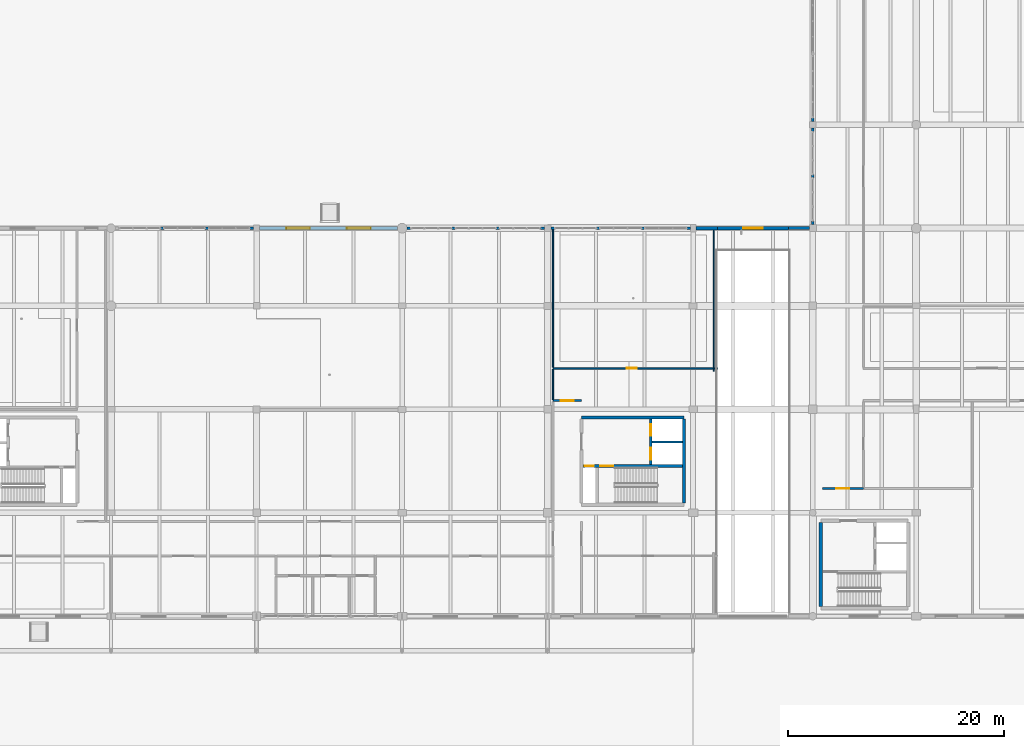
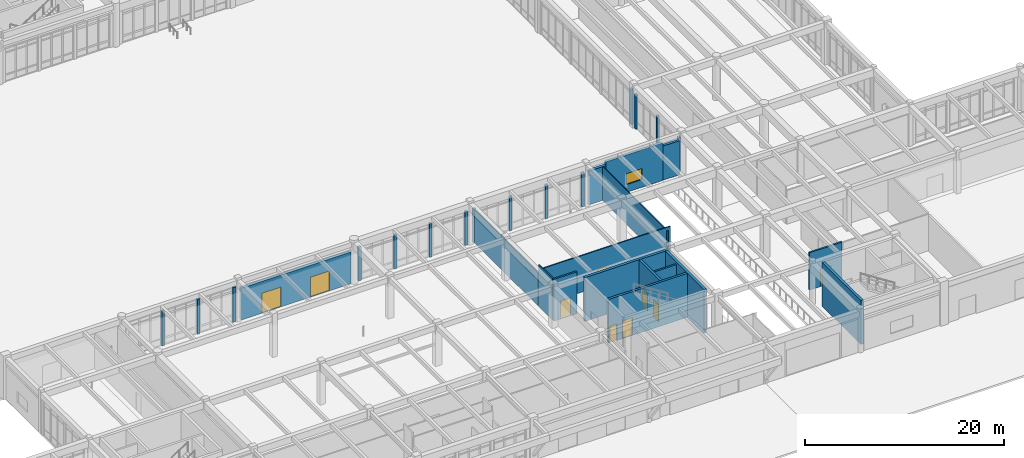
# One storey, part 111 of 138: 31 walls, 9 doors, 1 window, 10 openings.
"""IFC4 building model written with IfcOpenShell, lengths in metres."""

from ifc_helpers import new_model, si_unit, direction, frame, frame_2d, origin, place, context, subcontext, project, spatial, rectangle, extrude, material, layer, layer_set, type_object, element, fill, save


model = new_model("IFC4")

# Units and contexts
model_context = context("Model", 3, precision=1e-05, world=origin(), true_north=direction((0.0, 1.0)))
body_context = subcontext(model_context, "Body", "Model", "MODEL_VIEW")
ifc_project = project(units=[si_unit("LENGTHUNIT", "METRE"), si_unit("AREAUNIT", "SQUARE_METRE"), si_unit("VOLUMEUNIT", "CUBIC_METRE"), si_unit("PLANEANGLEUNIT", "RADIAN"), si_unit("MASSUNIT", "GRAM", prefix="KILO")], contexts=[model_context])

# Site, building, storey
site_placement = place(None, origin())
site = spatial("IfcSite", under=ifc_project, at=site_placement, CompositionType="ELEMENT")
building_placement = place(site_placement, origin())
building = spatial("IfcBuilding", under=site, at=building_placement, Name="Fikremerkos Civic Library", CompositionType="ELEMENT")
storey_placement = place(building_placement, origin())
storey = spatial("IfcBuildingStorey", under=building, at=storey_placement, Name="L00", CompositionType="ELEMENT", Elevation=0.0)

# Walls
ifc_material_1 = material(Name="Concrete C40/50", Category="concrete")
ifc_layer_1 = layer(ifc_material_1, 0.300048828125, Name="Concrete C40/50")
ifc_layer_set_1 = layer_set([ifc_layer_1], Name="Concrete C40/50")
wall_type_1 = type_object("IfcWallType", Name="Core shear wall CSW-01 300", PredefinedType="SHEAR", material=ifc_layer_set_1)
wall_1_placement = place(storey_placement, frame((103.35009765625, 30.449951171875, 0.0), z_axis=(0.0, 0.0, 1.0), x_axis=(1.0, 0.0, 0.0)))
element("IfcWall", 1, at=wall_1_placement, inside=storey, type_object=wall_type_1, Name="Core K2 north shear wall L00", PredefinedType="SHEAR", context=body_context, shape_type="SweptSolid", body=[
    extrude(rectangle(XDim=9.5, YDim=0.300048828125, at=frame_2d((4.75, 0.0))), origin(), (0.0, 0.0, 1.0), 5.39990234375),
])
wall_2_placement = place(storey_placement, frame((112.85009765625, 30.298095703125, 0.0), z_axis=(0.0, 0.0, 1.0), x_axis=(0.0, -1.0, 0.0)))
element("IfcWall", 2, at=wall_2_placement, inside=storey, type_object=wall_type_1, Name="Core K2 east shear wall L00", PredefinedType="SHEAR", context=body_context, shape_type="SweptSolid", body=[
    extrude(rectangle(XDim=7.796142578125, YDim=0.300048828125, at=frame_2d((3.89794921875, 0.0))), origin(), (0.0, 0.0, 1.0), 5.39990234375),
])
wall_3_placement = place(storey_placement, frame((125.550048828125, 12.902099609375, 0.0), z_axis=(0.0, 0.0, 1.0), x_axis=(0.0, 1.0, 0.0)))
element("IfcWall", 3, at=wall_3_placement, inside=storey, type_object=wall_type_1, Name="Core K4 west shear wall L00", PredefinedType="SHEAR", context=body_context, shape_type="SweptSolid", body=[
    extrude(rectangle(XDim=7.7958984375, YDim=0.300048828125, at=frame_2d((3.89794921875, 0.0))), origin(), (0.0, 0.0, 1.0), 5.39990234375),
])

# Wall, openings, doors
ifc_layer_2 = layer(ifc_material_1, 0.260009765625, Name="Concrete C40/50")
ifc_layer_set_2 = layer_set([ifc_layer_2], Name="Concrete C40/50")
wall_type_2 = type_object("IfcWallType", Name="Core shear wall CSW-02 260", PredefinedType="SHEAR", material=ifc_layer_set_2)
wall_4_placement = place(storey_placement, frame((103.501953125, 25.929931640625, 0.0), z_axis=(0.0, 0.0, 1.0), x_axis=(1.0, 0.0, 0.0)))
wall_4 = element("IfcWall", 4, at=wall_4_placement, inside=storey, type_object=wall_type_2, Name="Core K2 stair compartment wall L00", PredefinedType="SHEAR", context=body_context, shape_type="SweptSolid", body=[
    extrude(rectangle(XDim=9.196044921875, YDim=0.260009765625, at=frame_2d((4.59814453125, 0.0))), origin(), (0.0, 0.0, 1.0), 5.39990234375),
])
opening_1_placement = place(wall_4_placement, frame((1.597900390625, 0.0, 0.0)))
opening_1 = element("IfcOpeningElement", 5, at=opening_1_placement, cuts=wall_4, Name="Opening D060", PredefinedType="OPENING", context=body_context, shape_type="SweptSolid", body=[
    extrude(rectangle(XDim=1.199951171875, YDim=2.199951171875, at=frame_2d((0.60009765625, 1.10009765625))), frame((0.0, 0.139892578125, 0.0), z_axis=(0.0, -1.0, 0.0), x_axis=(1.0, 0.0, 0.0)), (0.0, 0.0, 1.0), 0.280029296875),
])
opening_2_placement = place(wall_4_placement, frame((0.14306640625, 0.0, 0.0)))
opening_2 = element("IfcOpeningElement", 6, at=opening_2_placement, cuts=wall_4, Name="Opening D061", PredefinedType="OPENING", context=body_context, shape_type="SweptSolid", body=[
    extrude(rectangle(XDim=0.85009765625, YDim=2.050048828125, at=frame_2d((0.425048828125, 1.02490234375))), frame((0.0, 0.139892578125, 0.0), z_axis=(0.0, -1.0, 0.0), x_axis=(1.0, 0.0, 0.0)), (0.0, 0.0, 1.0), 0.280029296875),
])
ifc_material_2 = material(Name="Hardwood timber and acoustic glass", Category="wood")
door_type_1 = type_object("IfcDoorType", Name="Pedestrian door DT-06 1200x2200", OperationType="NOTDEFINED", PredefinedType="DOOR", material=ifc_material_2)
door_1_placement = place(opening_1_placement, origin())
door_1 = element("IfcDoor", 7, at=door_1_placement, inside=storey, type_object=door_type_1, Name="Core K2 stair fire door D060 L00", OperationType="SINGLE_SWING_RIGHT", OverallHeight=2.199951171875, OverallWidth=1.199951171875, PredefinedType="DOOR", context=body_context, shape_type="SweptSolid", body=[
    extrude(rectangle(XDim=1.199951171875, YDim=2.199951171875, at=frame_2d((0.60009765625, 1.10009765625))), frame((0.0, 0.032470703125, 0.0), z_axis=(0.0, -1.0, 0.0), x_axis=(1.0, 0.0, 0.0)), (0.0, 0.0, 1.0), 0.06494140625),
])
fill(opening_1, door_1)
door_type_2 = type_object("IfcDoorType", Name="Pedestrian door DT-08 850x2050", OperationType="NOTDEFINED", PredefinedType="DOOR", material=ifc_material_2)
door_2_placement = place(opening_2_placement, origin())
door_2 = element("IfcDoor", 8, at=door_2_placement, inside=storey, type_object=door_type_2, Name="Core K2 riser access fire door D061 L00", OperationType="SINGLE_SWING_LEFT", OverallHeight=2.050048828125, OverallWidth=0.85009765625, PredefinedType="DOOR", context=body_context, shape_type="SweptSolid", body=[
    extrude(rectangle(XDim=0.85009765625, YDim=2.050048828125, at=frame_2d((0.425048828125, 1.02490234375))), frame((0.0, 0.032470703125, 0.0), z_axis=(0.0, -1.0, 0.0), x_axis=(1.0, 0.0, 0.0)), (0.0, 0.0, 1.0), 0.06494140625),
])
fill(opening_2, door_2)

wall_5_placement = place(storey_placement, frame((109.77001953125, 26.06201171875, 0.0), z_axis=(0.0, 0.0, 1.0), x_axis=(0.0, 1.0, 0.0)))
wall_5 = element("IfcWall", 9, at=wall_5_placement, inside=storey, type_object=wall_type_2, Name="Core K2 lift shaft front wall L00", PredefinedType="SHEAR", context=body_context, shape_type="SweptSolid", body=[
    extrude(rectangle(XDim=4.236083984375, YDim=0.260009765625, at=frame_2d((2.1181640625, 0.0))), origin(), (0.0, 0.0, 1.0), 5.39990234375),
])
opening_3_placement = place(wall_5_placement, frame((0.468017578125, 0.0, 0.0)))
opening_3 = element("IfcOpeningElement", 10, at=opening_3_placement, cuts=wall_5, Name="Opening LD21", PredefinedType="OPENING", context=body_context, shape_type="SweptSolid", body=[
    extrude(rectangle(XDim=1.10009765625, YDim=2.14990234375, at=frame_2d((0.550048828125, 1.074951171875))), frame((0.0, 0.139892578125, 0.0), z_axis=(0.0, -1.0, 0.0), x_axis=(1.0, 0.0, 0.0)), (0.0, 0.0, 1.0), 0.280029296875),
])
opening_4_placement = place(wall_5_placement, frame((2.66796875, 0.0, 0.0)))
opening_4 = element("IfcOpeningElement", 11, at=opening_4_placement, cuts=wall_5, Name="Opening LD22", PredefinedType="OPENING", context=body_context, shape_type="SweptSolid", body=[
    extrude(rectangle(XDim=1.10009765625, YDim=2.14990234375, at=frame_2d((0.550048828125, 1.074951171875))), frame((0.0, 0.139892578125, 0.0), z_axis=(0.0, -1.0, 0.0), x_axis=(1.0, 0.0, 0.0)), (0.0, 0.0, 1.0), 0.280029296875),
])
ifc_material_3 = material(Name="Brushed stainless steel", Category="steel")
door_type_3 = type_object("IfcDoorType", Name="Lift landing door LDT-01 1100x2150", OperationType="NOTDEFINED", PredefinedType="DOOR", material=ifc_material_3)
door_3_placement = place(opening_3_placement, origin())
door_3 = element("IfcDoor", 12, at=door_3_placement, inside=storey, type_object=door_type_3, Name="Lift LF03 sliding landing door LD21 L00", OperationType="SLIDING_TO_LEFT", OverallHeight=2.14990234375, OverallWidth=1.10009765625, PredefinedType="DOOR", context=body_context, shape_type="SweptSolid", body=[
    extrude(rectangle(XDim=1.10009765625, YDim=2.14990234375, at=frame_2d((0.550048828125, 1.074951171875))), frame((0.0, 0.032470703125, 0.0), z_axis=(0.0, -1.0, 0.0), x_axis=(1.0, 0.0, 0.0)), (0.0, 0.0, 1.0), 0.06494140625),
])
fill(opening_3, door_3)
door_4_placement = place(opening_4_placement, origin())
door_4 = element("IfcDoor", 13, at=door_4_placement, inside=storey, type_object=door_type_3, Name="Lift LF04 sliding landing door LD22 L00", OperationType="SLIDING_TO_LEFT", OverallHeight=2.14990234375, OverallWidth=1.10009765625, PredefinedType="DOOR", context=body_context, shape_type="SweptSolid", body=[
    extrude(rectangle(XDim=1.10009765625, YDim=2.14990234375, at=frame_2d((0.550048828125, 1.074951171875))), frame((0.0, 0.032470703125, 0.0), z_axis=(0.0, -1.0, 0.0), x_axis=(1.0, 0.0, 0.0)), (0.0, 0.0, 1.0), 0.06494140625),
])
fill(opening_4, door_4)

ifc_material_4 = material(Name="Precast concrete C40/50", Category="concrete")
ifc_layer_3 = layer(ifc_material_4, 0.320068359375, Name="Precast concrete C40/50")
ifc_layer_set_3 = layer_set([ifc_layer_3], Name="Precast concrete C40/50")
wall_type_3 = type_object("IfcWallType", Name="Exterior solid wall ESW-02 320", PredefinedType="SOLIDWALL", material=ifc_layer_set_3)
wall_6_placement = place(storey_placement, frame((73.472900390625, 48.0, 0.0), z_axis=(0.0, 0.0, 1.0), x_axis=(1.0, 0.0, 0.0)))
wall_6 = element("IfcWall", 14, at=wall_6_placement, inside=storey, type_object=wall_type_3, Name="Exterior ground wall ESW-02 #222", PredefinedType="SOLIDWALL", context=body_context, shape_type="SweptSolid", body=[
    extrude(rectangle(XDim=12.779052734375, YDim=0.320068359375, at=frame_2d((6.3896484375, 0.0))), origin(), (0.0, 0.0, 1.0), 3.909912109375),
])
opening_5_placement = place(wall_6_placement, frame((2.47802734375, 0.0, 0.0)))
opening_5 = element("IfcOpeningElement", 15, at=opening_5_placement, cuts=wall_6, Name="Opening D015", PredefinedType="OPENING", context=body_context, shape_type="SweptSolid", body=[
    extrude(rectangle(XDim=2.199951171875, YDim=2.449951171875, at=frame_2d((1.10009765625, 1.22509765625))), frame((0.0, 0.169921875, 0.0), z_axis=(0.0, -1.0, 0.0), x_axis=(1.0, 0.0, 0.0)), (0.0, 0.0, 1.0), 0.340087890625),
])
opening_6_placement = place(wall_6_placement, frame((8.100830078125, 0.0, 0.0)))
opening_6 = element("IfcOpeningElement", 16, at=opening_6_placement, cuts=wall_6, Name="Opening D016", PredefinedType="OPENING", context=body_context, shape_type="SweptSolid", body=[
    extrude(rectangle(XDim=2.199951171875, YDim=2.449951171875, at=frame_2d((1.10009765625, 1.22509765625))), frame((0.0, 0.169921875, 0.0), z_axis=(0.0, -1.0, 0.0), x_axis=(1.0, 0.0, 0.0)), (0.0, 0.0, 1.0), 0.340087890625),
])
ifc_material_5 = material(Name="Thermally broken bronze aluminium and glass", Category="aluminium")
door_type_4 = type_object("IfcDoorType", Name="Pedestrian door DT-10 2200x2450", OperationType="NOTDEFINED", PredefinedType="DOOR", material=ifc_material_5)
door_5_placement = place(opening_5_placement, origin())
door_5 = element("IfcDoor", 17, at=door_5_placement, inside=storey, type_object=door_type_4, Name="Ground final exit pedestrian door D015", OperationType="SINGLE_SWING_LEFT", OverallHeight=2.449951171875, OverallWidth=2.199951171875, PredefinedType="DOOR", context=body_context, shape_type="SweptSolid", body=[
    extrude(rectangle(XDim=2.199951171875, YDim=2.449951171875, at=frame_2d((1.10009765625, 1.22509765625))), frame((0.0, 0.032470703125, 0.0), z_axis=(0.0, -1.0, 0.0), x_axis=(1.0, 0.0, 0.0)), (0.0, 0.0, 1.0), 0.06494140625),
])
fill(opening_5, door_5)
door_6_placement = place(opening_6_placement, origin())
door_6 = element("IfcDoor", 18, at=door_6_placement, inside=storey, type_object=door_type_4, Name="Ground final exit pedestrian door D016", OperationType="SINGLE_SWING_RIGHT", OverallHeight=2.449951171875, OverallWidth=2.199951171875, PredefinedType="DOOR", context=body_context, shape_type="SweptSolid", body=[
    extrude(rectangle(XDim=2.199951171875, YDim=2.449951171875, at=frame_2d((1.10009765625, 1.22509765625))), frame((0.0, 0.032470703125, 0.0), z_axis=(0.0, -1.0, 0.0), x_axis=(1.0, 0.0, 0.0)), (0.0, 0.0, 1.0), 0.06494140625),
])
fill(opening_6, door_6)

# Wall
wall_7_placement = place(storey_placement, frame((113.947998046875, 48.0, 0.0), z_axis=(0.0, 0.0, 1.0), x_axis=(1.0, 0.0, 0.0)))
element("IfcWall", 19, at=wall_7_placement, inside=storey, type_object=wall_type_3, Name="Exterior solid wall ESW-02 L00 #231", PredefinedType="SOLIDWALL", context=body_context, shape_type="SweptSolid", body=[
    extrude(rectangle(XDim=2.0, YDim=0.320068359375, at=frame_2d((1.0, 0.0))), origin(), (0.0, 0.0, 1.0), 4.14990234375),
])

# Wall, opening, window
ifc_layer_4 = layer(ifc_material_4, 0.300048828125, Name="Precast concrete C40/50")
ifc_layer_set_4 = layer_set([ifc_layer_4], Name="Precast concrete C40/50")
wall_type_4 = type_object("IfcWallType", Name="Exterior solid wall ESW-03 300", PredefinedType="SOLIDWALL", material=ifc_layer_set_4)
wall_8_placement = place(storey_placement, frame((115.951904296875, 48.0, 0.0), z_axis=(0.0, 0.0, 1.0), x_axis=(1.0, 0.0, 0.0)))
wall_8 = element("IfcWall", 20, at=wall_8_placement, inside=storey, type_object=wall_type_4, Name="Exterior solid wall ESW-03 L00 #232", PredefinedType="SOLIDWALL", context=body_context, shape_type="SweptSolid", body=[
    extrude(rectangle(XDim=6.59619140625, YDim=0.300048828125, at=frame_2d((3.298095703125, 0.0))), origin(), (0.0, 0.0, 1.0), 4.60009765625),
])
opening_7_placement = place(wall_8_placement, frame((2.39794921875, 0.0, 0.949951171875)))
opening_7 = element("IfcOpeningElement", 21, at=opening_7_placement, cuts=wall_8, Name="Opening CWND-09", PredefinedType="OPENING", context=body_context, shape_type="SweptSolid", body=[
    extrude(rectangle(XDim=1.800048828125, YDim=1.35009765625, at=frame_2d((0.89990234375, 0.675048828125))), frame((0.0, 0.159912109375, 0.0), z_axis=(0.0, -1.0, 0.0), x_axis=(1.0, 0.0, 0.0)), (0.0, 0.0, 1.0), 0.320068359375),
])
ifc_material_6 = material(Name="Solar control double glazing", Category="glass")
window_type = type_object("IfcWindowType", Name="Courtyard window CWND-09 1800x1350", PartitioningType="SINGLE_PANEL", PredefinedType="WINDOW", material=ifc_material_6)
window_placement = place(opening_7_placement, origin())
window = element("IfcWindow", 22, at=window_placement, inside=storey, type_object=window_type, Name="Courtyard window CWND-09 L00 #9", OverallHeight=1.35009765625, OverallWidth=1.800048828125, PartitioningType="SINGLE_PANEL", PredefinedType="WINDOW", context=body_context, shape_type="SweptSolid", body=[
    extrude(rectangle(XDim=1.800048828125, YDim=1.35009765625, at=frame_2d((0.89990234375, 0.675048828125))), frame((0.0, 0.032470703125, 0.0), z_axis=(0.0, -1.0, 0.0), x_axis=(1.0, 0.0, 0.0)), (0.0, 0.0, 1.0), 0.06494140625),
])
fill(opening_7, window)

# Walls
ifc_layer_5 = layer(ifc_material_4, 0.280029296875, Name="Precast concrete C40/50")
ifc_layer_set_5 = layer_set([ifc_layer_5], Name="Precast concrete C40/50")
wall_type_5 = type_object("IfcWallType", Name="Exterior solid wall ESW-04 280", PredefinedType="SOLIDWALL", material=ifc_layer_set_5)
wall_9_placement = place(storey_placement, frame((122.552001953125, 48.0, 0.0), z_axis=(0.0, 0.0, 1.0), x_axis=(1.0, 0.0, 0.0)))
element("IfcWall", 23, at=wall_9_placement, inside=storey, type_object=wall_type_5, Name="Exterior solid wall ESW-04 L00 #233", PredefinedType="SOLIDWALL", context=body_context, shape_type="SweptSolid", body=[
    extrude(rectangle(XDim=1.925048828125, YDim=0.280029296875, at=frame_2d((0.96240234375, 0.0))), origin(), (0.0, 0.0, 1.0), 4.199951171875),
])
ifc_layer_6 = layer(ifc_material_4, 0.25, Name="Precast concrete C40/50")
ifc_layer_set_6 = layer_set([ifc_layer_6], Name="Precast concrete C40/50")
wall_type_6 = type_object("IfcWallType", Name="Exterior solid wall ESW-05 250", PredefinedType="SOLIDWALL", material=ifc_layer_set_6)
wall_10_placement = place(storey_placement, frame((72.576904296875, 48.0, 0.0), z_axis=(0.0, 0.0, 1.0), x_axis=(1.0, 0.0, 0.0)))
element("IfcWall", 24, at=wall_10_placement, inside=storey, type_object=wall_type_6, Name="Exterior facade pier ESW-05 #219", PredefinedType="SOLIDWALL", context=body_context, shape_type="SweptSolid", body=[
    extrude(rectangle(XDim=0.35009765625, YDim=0.25, at=frame_2d((0.175048828125, 0.0))), origin(), (0.0, 0.0, 1.0), 4.2900390625),
])
wall_11_placement = place(storey_placement, frame((64.291015625, 48.0, 0.0), z_axis=(0.0, 0.0, 1.0), x_axis=(1.0, 0.0, 0.0)))
element("IfcWall", 25, at=wall_11_placement, inside=storey, type_object=wall_type_6, Name="Exterior facade mullion pier ESW-05 #220", PredefinedType="SOLIDWALL", context=body_context, shape_type="SweptSolid", body=[
    extrude(rectangle(XDim=0.300048828125, YDim=0.25, at=frame_2d((0.14990234375, 0.0))), origin(), (0.0, 0.0, 1.0), 4.2900390625),
])
wall_12_placement = place(storey_placement, frame((68.43408203125, 48.0, 0.0), z_axis=(0.0, 0.0, 1.0), x_axis=(1.0, 0.0, 0.0)))
element("IfcWall", 26, at=wall_12_placement, inside=storey, type_object=wall_type_6, Name="Exterior facade mullion pier ESW-05 #221", PredefinedType="SOLIDWALL", context=body_context, shape_type="SweptSolid", body=[
    extrude(rectangle(XDim=0.2998046875, YDim=0.25, at=frame_2d((0.14990234375, 0.0))), origin(), (0.0, 0.0, 1.0), 4.2900390625),
])
for number, where, z_axis, x_axis, name in (
    (27, (87.14794921875, 48.0, 0.0), (0.0, 0.0, 1.0), (1.0, 0.0, 0.0), "Exterior facade pier ESW-05 #223"),
    (28, (99.552001953125, 48.0, 0.0), (0.0, 0.0, 1.0), (1.0, 0.0, 0.0), "Exterior facade pier ESW-05 #224"),
):
    element("IfcWall", number, at=place(storey_placement, frame(where, z_axis=z_axis, x_axis=x_axis)), inside=storey, type_object=wall_type_6, Name=name, PredefinedType="SOLIDWALL", context=body_context, shape_type="SweptSolid", body=[
        extrude(rectangle(XDim=0.35009765625, YDim=0.25, at=frame_2d((0.175048828125, 0.0))), origin(), (0.0, 0.0, 1.0), 4.14990234375),
    ])
wall_13_placement = place(storey_placement, frame((91.31591796875, 48.0, 0.0), z_axis=(0.0, 0.0, 1.0), x_axis=(1.0, 0.0, 0.0)))
element("IfcWall", 29, at=wall_13_placement, inside=storey, type_object=wall_type_6, Name="Exterior facade mullion pier ESW-05 #225", PredefinedType="SOLIDWALL", context=body_context, shape_type="SweptSolid", body=[
    extrude(rectangle(XDim=0.300048828125, YDim=0.25, at=frame_2d((0.14990234375, 0.0))), origin(), (0.0, 0.0, 1.0), 4.14990234375),
])
wall_14_placement = place(storey_placement, frame((95.43408203125, 48.0, 0.0), z_axis=(0.0, 0.0, 1.0), x_axis=(1.0, 0.0, 0.0)))
element("IfcWall", 30, at=wall_14_placement, inside=storey, type_object=wall_type_6, Name="Exterior facade mullion pier ESW-05 #226", PredefinedType="SOLIDWALL", context=body_context, shape_type="SweptSolid", body=[
    extrude(rectangle(XDim=0.2998046875, YDim=0.25, at=frame_2d((0.14990234375, 0.0))), origin(), (0.0, 0.0, 1.0), 4.14990234375),
])
for number, where, z_axis, x_axis, name in (
    (31, (100.498046875, 48.0, 0.0), (0.0, 0.0, 1.0), (1.0, 0.0, 0.0), "Exterior facade pier ESW-05 #227"),
    (32, (113.10205078125, 48.0, 0.0), (0.0, 0.0, 1.0), (1.0, 0.0, 0.0), "Exterior facade pier ESW-05 #228"),
):
    element("IfcWall", number, at=place(storey_placement, frame(where, z_axis=z_axis, x_axis=x_axis)), inside=storey, type_object=wall_type_6, Name=name, PredefinedType="SOLIDWALL", context=body_context, shape_type="SweptSolid", body=[
        extrude(rectangle(XDim=0.349853515625, YDim=0.25, at=frame_2d((0.1748046875, 0.0))), origin(), (0.0, 0.0, 1.0), 4.14990234375),
    ])
for number, where, z_axis, x_axis, name in (
    (33, (104.732666015625, 48.0, 0.0), (0.0, 0.0, 1.0), (1.0, 0.0, 0.0), "Exterior facade mullion pier ESW-05 #229"),
    (34, (108.917236328125, 48.0, 0.0), (0.0, 0.0, 1.0), (1.0, 0.0, 0.0), "Exterior facade mullion pier ESW-05 #230"),
):
    element("IfcWall", number, at=place(storey_placement, frame(where, z_axis=z_axis, x_axis=x_axis)), inside=storey, type_object=wall_type_6, Name=name, PredefinedType="SOLIDWALL", context=body_context, shape_type="SweptSolid", body=[
        extrude(rectangle(XDim=0.300048828125, YDim=0.25, at=frame_2d((0.14990234375, 0.0))), origin(), (0.0, 0.0, 1.0), 4.14990234375),
    ])
for number, where, z_axis, x_axis, name in (
    (35, (124.800048828125, 48.322998046875, 0.0), (0.0, 0.0, 1.0), (0.0, 1.0, 0.0), "Exterior facade pier ESW-05 #234"),
    (36, (124.800048828125, 56.951904296875, 0.0), (0.0, 0.0, 1.0), (0.0, 1.0, 0.0), "Exterior facade pier ESW-05 #235"),
):
    element("IfcWall", number, at=place(storey_placement, frame(where, z_axis=z_axis, x_axis=x_axis)), inside=storey, type_object=wall_type_6, Name=name, PredefinedType="SOLIDWALL", context=body_context, shape_type="SweptSolid", body=[
        extrude(rectangle(XDim=0.35009765625, YDim=0.25, at=frame_2d((0.175048828125, 0.0))), origin(), (0.0, 0.0, 1.0), 4.199951171875),
    ])
wall_15_placement = place(storey_placement, frame((124.800048828125, 52.66259765625, 0.0), z_axis=(0.0, 0.0, 1.0), x_axis=(0.0, 1.0, 0.0)))
element("IfcWall", 37, at=wall_15_placement, inside=storey, type_object=wall_type_6, Name="Exterior facade mullion pier ESW-05 #236", PredefinedType="SOLIDWALL", context=body_context, shape_type="SweptSolid", body=[
    extrude(rectangle(XDim=0.2998046875, YDim=0.25, at=frame_2d((0.14990234375, 0.0))), origin(), (0.0, 0.0, 1.0), 4.199951171875),
])
wall_16_placement = place(storey_placement, frame((124.800048828125, 57.89794921875, 0.0), z_axis=(0.0, 0.0, 1.0), x_axis=(0.0, 1.0, 0.0)))
element("IfcWall", 38, at=wall_16_placement, inside=storey, type_object=wall_type_6, Name="Exterior facade pier ESW-05 #237", PredefinedType="SOLIDWALL", context=body_context, shape_type="SweptSolid", body=[
    extrude(rectangle(XDim=0.35009765625, YDim=0.25, at=frame_2d((0.175048828125, 0.0))), origin(), (0.0, 0.0, 1.0), 4.300048828125),
])

# Wall, opening, door
ifc_material_7 = material(Name="Acoustic concrete blockwork", Category="masonry")
ifc_layer_7 = layer(ifc_material_7, 0.18994140625, Name="Acoustic concrete blockwork")
ifc_layer_set_7 = layer_set([ifc_layer_7], Name="Acoustic concrete blockwork")
wall_type_7 = type_object("IfcWallType", Name="Interior partition wall IPW-01 190", PredefinedType="PARTITIONING", material=ifc_layer_set_7)
wall_17_placement = place(storey_placement, frame((100.699951171875, 32.0, 0.0), z_axis=(0.0, 0.0, 1.0), x_axis=(1.0, 0.0, 0.0)))
wall_17 = element("IfcWall", 39, at=wall_17_placement, inside=storey, type_object=wall_type_7, Name="Interior wall IPW-01 L00 #84", PredefinedType="PARTITIONING", context=body_context, shape_type="SweptSolid", body=[
    extrude(rectangle(XDim=2.650146484375, YDim=0.18994140625, at=frame_2d((1.3251953125, 0.0))), origin(), (0.0, 0.0, 1.0), 5.159912109375),
])
opening_8_placement = place(wall_17_placement, frame((0.719970703125, 0.0, 0.0)))
opening_8 = element("IfcOpeningElement", 40, at=opening_8_placement, cuts=wall_17, Name="Opening D192", PredefinedType="OPENING", context=body_context, shape_type="SweptSolid", body=[
    extrude(rectangle(XDim=1.199951171875, YDim=2.199951171875, at=frame_2d((0.60009765625, 1.10009765625))), frame((0.0, 0.10498046875, 0.0), z_axis=(0.0, -1.0, 0.0), x_axis=(1.0, 0.0, 0.0)), (0.0, 0.0, 1.0), 0.2099609375),
])
door_7_placement = place(opening_8_placement, origin())
door_7 = element("IfcDoor", 41, at=door_7_placement, inside=storey, type_object=door_type_1, Name="Interior door D192 L00", OperationType="SINGLE_SWING_LEFT", OverallHeight=2.199951171875, OverallWidth=1.199951171875, PredefinedType="DOOR", context=body_context, shape_type="SweptSolid", body=[
    extrude(rectangle(XDim=1.199951171875, YDim=2.199951171875, at=frame_2d((0.60009765625, 1.10009765625))), frame((0.0, 0.032470703125, 0.0), z_axis=(0.0, -1.0, 0.0), x_axis=(1.0, 0.0, 0.0)), (0.0, 0.0, 1.0), 0.06494140625),
])
fill(opening_8, door_7)

wall_18_placement = place(storey_placement, frame((125.699951171875, 23.85009765625, 0.0), z_axis=(0.0, 0.0, 1.0), x_axis=(1.0, 0.0, 0.0)))
wall_18 = element("IfcWall", 42, at=wall_18_placement, inside=storey, type_object=wall_type_7, Name="Interior wall IPW-01 L00 #85", PredefinedType="PARTITIONING", context=body_context, shape_type="SweptSolid", body=[
    extrude(rectangle(XDim=3.800048828125, YDim=0.18994140625, at=frame_2d((1.89990234375, 0.0))), origin(), (0.0, 0.0, 1.0), 4.610107421875),
])
opening_9_placement = place(wall_18_placement, frame((1.300048828125, 0.0, 0.0)))
opening_9 = element("IfcOpeningElement", 43, at=opening_9_placement, cuts=wall_18, Name="Opening D194", PredefinedType="OPENING", context=body_context, shape_type="SweptSolid", body=[
    extrude(rectangle(XDim=1.199951171875, YDim=2.199951171875, at=frame_2d((0.60009765625, 1.10009765625))), frame((0.0, 0.10498046875, 0.0), z_axis=(0.0, -1.0, 0.0), x_axis=(1.0, 0.0, 0.0)), (0.0, 0.0, 1.0), 0.2099609375),
])
door_8_placement = place(opening_9_placement, origin())
door_8 = element("IfcDoor", 44, at=door_8_placement, inside=storey, type_object=door_type_1, Name="Interior door D194 L00", OperationType="SINGLE_SWING_LEFT", OverallHeight=2.199951171875, OverallWidth=1.199951171875, PredefinedType="DOOR", context=body_context, shape_type="SweptSolid", body=[
    extrude(rectangle(XDim=1.199951171875, YDim=2.199951171875, at=frame_2d((0.60009765625, 1.10009765625))), frame((0.0, 0.032470703125, 0.0), z_axis=(0.0, -1.0, 0.0), x_axis=(1.0, 0.0, 0.0)), (0.0, 0.0, 1.0), 0.06494140625),
])
fill(opening_9, door_8)

ifc_material_8 = material(Name="Gypsum metal stud partition")
ifc_layer_8 = layer(ifc_material_8, 0.1298828125, Name="Gypsum metal stud partition")
ifc_layer_set_8 = layer_set([ifc_layer_8], Name="Gypsum metal stud partition")
wall_type_8 = type_object("IfcWallType", Name="Interior partition wall IPW-03 130", PredefinedType="PARTITIONING", material=ifc_layer_set_8)
wall_19_placement = place(storey_placement, frame((100.699951171875, 35.0, 0.0), z_axis=(0.0, 0.0, 1.0), x_axis=(1.0, 0.0, 0.0)))
wall_19 = element("IfcWall", 45, at=wall_19_placement, inside=storey, type_object=wall_type_8, Name="Interior wall IPW-03 L00 #110", PredefinedType="PARTITIONING", context=body_context, shape_type="SweptSolid", body=[
    extrude(rectangle(XDim=15.27001953125, YDim=0.1298828125, at=frame_2d((7.635009765625, 0.0))), origin(), (0.0, 0.0, 1.0), 4.5),
])
opening_10_placement = place(wall_19_placement, frame((6.824951171875, 0.0, 0.0)))
opening_10 = element("IfcOpeningElement", 46, at=opening_10_placement, cuts=wall_19, Name="Opening D172", PredefinedType="OPENING", context=body_context, shape_type="SweptSolid", body=[
    extrude(rectangle(XDim=0.949951171875, YDim=2.14990234375, at=frame_2d((0.47509765625, 1.074951171875))), frame((0.0, 0.074951171875, 0.0), z_axis=(0.0, -1.0, 0.0), x_axis=(1.0, 0.0, 0.0)), (0.0, 0.0, 1.0), 0.14990234375),
])
door_type_5 = type_object("IfcDoorType", Name="Pedestrian door DT-02 950x2150", OperationType="NOTDEFINED", PredefinedType="DOOR", material=ifc_material_2)
door_9_placement = place(opening_10_placement, origin())
door_9 = element("IfcDoor", 47, at=door_9_placement, inside=storey, type_object=door_type_5, Name="Interior door D172 L00", OperationType="SINGLE_SWING_RIGHT", OverallHeight=2.14990234375, OverallWidth=0.949951171875, PredefinedType="DOOR", context=body_context, shape_type="SweptSolid", body=[
    extrude(rectangle(XDim=0.949951171875, YDim=2.14990234375, at=frame_2d((0.47509765625, 1.074951171875))), frame((0.0, 0.032470703125, 0.0), z_axis=(0.0, -1.0, 0.0), x_axis=(1.0, 0.0, 0.0)), (0.0, 0.0, 1.0), 0.06494140625),
])
fill(opening_10, door_9)

# Walls
wall_20_placement = place(storey_placement, frame((100.699951171875, 32.10498046875, 0.0), z_axis=(0.0, 0.0, 1.0), x_axis=(0.0, 1.0, 0.0)))
element("IfcWall", 48, at=wall_20_placement, inside=storey, type_object=wall_type_8, Name="Interior wall IPW-03 L00 #130", PredefinedType="PARTITIONING", context=body_context, shape_type="SweptSolid", body=[
    extrude(rectangle(XDim=2.7900390625, YDim=0.1298828125, at=frame_2d((1.39501953125, 0.0))), origin(), (0.0, 0.0, 1.0), 5.159912109375),
])
ifc_material_9 = material(Name="Lightweight metal stud partition")
ifc_layer_9 = layer(ifc_material_9, 0.110107421875, Name="Lightweight metal stud partition")
ifc_layer_set_9 = layer_set([ifc_layer_9], Name="Lightweight metal stud partition")
wall_type_9 = type_object("IfcWallType", Name="Interior partition wall IPW-04 110", PredefinedType="PARTITIONING", material=ifc_layer_set_9)
wall_21_placement = place(storey_placement, frame((100.699951171875, 35.10498046875, 0.0), z_axis=(0.0, 0.0, 1.0), x_axis=(0.0, 1.0, 0.0)))
element("IfcWall", 49, at=wall_21_placement, inside=storey, type_object=wall_type_9, Name="Interior wall IPW-04 L00 #131", PredefinedType="PARTITIONING", context=body_context, shape_type="SweptSolid", body=[
    extrude(rectangle(XDim=12.76611328125, YDim=0.110107421875, at=frame_2d((6.383056640625, 0.0))), origin(), (0.0, 0.0, 1.0), 4.14990234375),
])
wall_22_placement = place(storey_placement, frame((115.60009765625, 34.72509765625, 0.0), z_axis=(0.0, 0.0, 1.0), x_axis=(0.0, 1.0, 0.0)))
element("IfcWall", 50, at=wall_22_placement, inside=storey, type_object=wall_type_9, Name="Interior wall IPW-04 L00 #135", PredefinedType="PARTITIONING", context=body_context, shape_type="SweptSolid", body=[
    extrude(rectangle(XDim=13.11181640625, YDim=0.110107421875, at=frame_2d((6.555908203125, 0.0))), origin(), (0.0, 0.0, 1.0), 4.14990234375),
])
ifc_material_10 = material(Name="Concrete C35/45", Category="concrete")
ifc_layer_10 = layer(ifc_material_10, 0.199951171875, Name="Concrete C35/45")
ifc_layer_set_10 = layer_set([ifc_layer_10], Name="Concrete C35/45")
wall_type_10 = type_object("IfcWallType", Name="Service duct wall SDW-01 200", PredefinedType="PLUMBINGWALL", material=ifc_layer_set_10)
wall_23_placement = place(storey_placement, frame((109.902099609375, 28.179931640625, 0.0), z_axis=(0.0, 0.0, 1.0), x_axis=(1.0, 0.0, 0.0)))
element("IfcWall", 51, at=wall_23_placement, inside=storey, type_object=wall_type_10, Name="Core K2 inter-lift shaft wall L00", PredefinedType="PLUMBINGWALL", context=body_context, shape_type="SweptSolid", body=[
    extrude(rectangle(XDim=2.7958984375, YDim=0.199951171875, at=frame_2d((1.39794921875, 0.0))), origin(), (0.0, 0.0, 1.0), 5.080078125),
])

save(model, "model.ifc")
